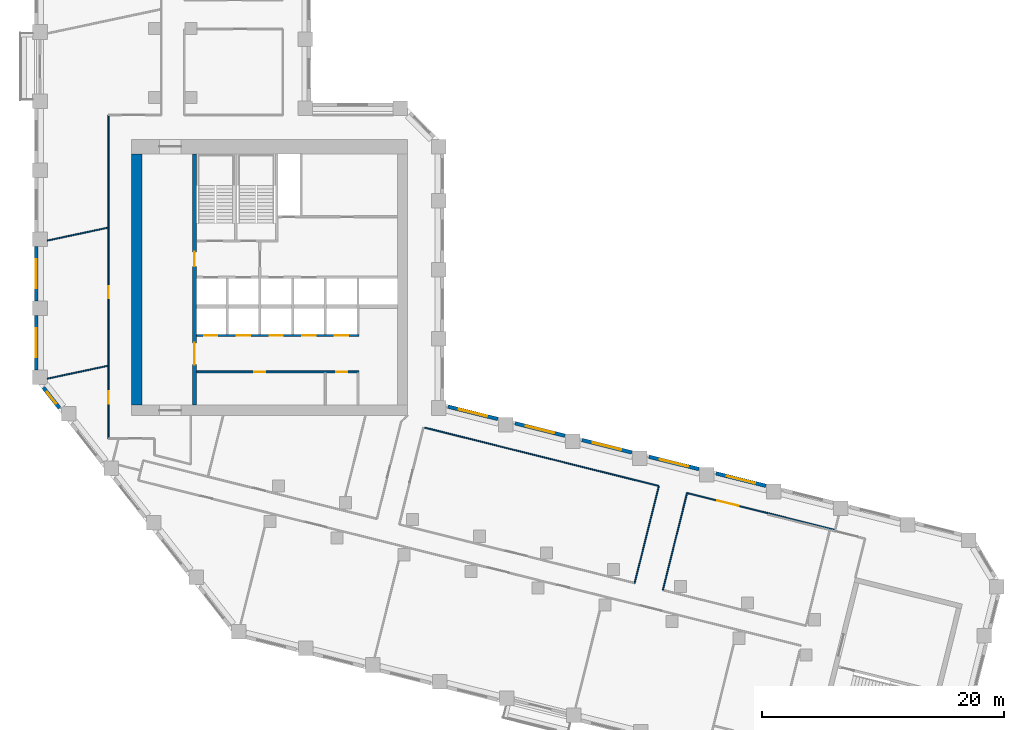
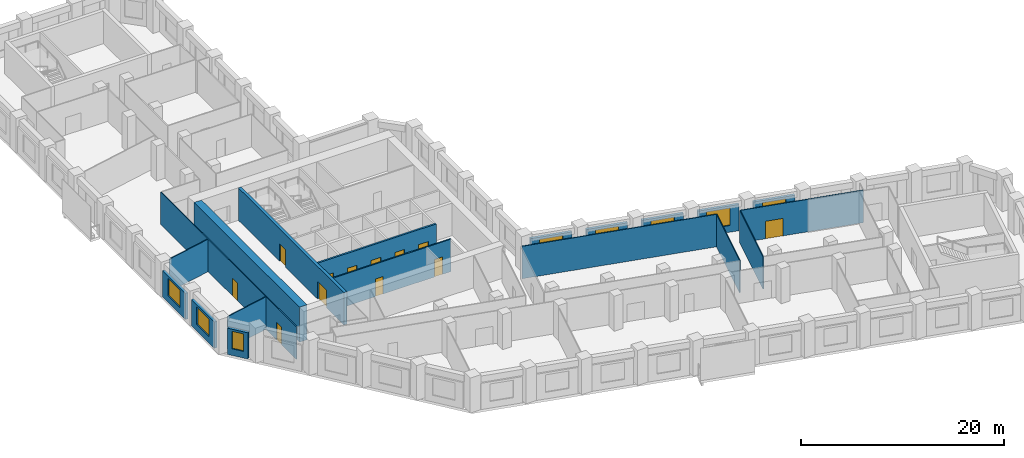
# One storey, part 4 of 10: 19 walls, 12 doors, 8 windows, 20 openings.
"""IFC4 building model written with IfcOpenShell, lengths in metres."""

from ifc_helpers import new_model, si_unit, direction, frame, frame_2d, origin, place, context, subcontext, project, spatial, rectangle, extrude, material, layer, layer_set, type_object, element, fill, save


model = new_model("IFC4")

# Units and contexts
model_context = context("Model", 3, precision=1e-05, world=origin(), true_north=direction((0.0, 1.0)))
body_context = subcontext(model_context, "Body", "Model", "MODEL_VIEW")
ifc_project = project(units=[si_unit("LENGTHUNIT", "METRE"), si_unit("AREAUNIT", "SQUARE_METRE"), si_unit("VOLUMEUNIT", "CUBIC_METRE"), si_unit("PLANEANGLEUNIT", "RADIAN"), si_unit("MASSUNIT", "GRAM", prefix="KILO")], contexts=[model_context])

# Site, building, storey
site_placement = place(None, origin())
site = spatial("IfcSite", under=ifc_project, at=site_placement, CompositionType="ELEMENT")
building_placement = place(site_placement, origin())
building = spatial("IfcBuilding", under=site, at=building_placement, Name="Meshkara Civic Tower", CompositionType="ELEMENT")
storey_placement = place(building_placement, frame((0.0, 0.0, 182.39990234375)))
storey = spatial("IfcBuildingStorey", under=building, at=storey_placement, Name="L41", CompositionType="ELEMENT", Elevation=182.39990234375)

# Wall, openings, doors
ifc_material_1 = material(Name="Blockwork", Category="masonry")
ifc_layer_1 = layer(ifc_material_1, 0.14990234375)
ifc_layer_set_1 = layer_set([ifc_layer_1], Name="Core partition 150")
wall_type_1 = type_object("IfcWallType", Name="Core partition 150", PredefinedType="PARTITIONING", material=ifc_layer_set_1)
wall_1_placement = place(storey_placement, frame((13.3701171875, 17.699951171875, 0.0), z_axis=(0.0, 0.0, 1.0), x_axis=(1.0, 0.0, 0.0)))
wall_1 = element("IfcWall", 1, at=wall_1_placement, inside=storey, type_object=wall_type_1, Name="L41-C005", PredefinedType="PARTITIONING", context=body_context, shape_type="SweptSolid", body=[
    extrude(rectangle(XDim=13.40478515625, YDim=0.14990234375, at=frame_2d((6.702392578125, 0.0))), origin(), (0.0, 0.0, 1.0), 3.900146484375),
])
opening_1_placement = place(wall_1_placement, frame((4.780029296875, 0.0, 0.0)))
opening_1 = element("IfcOpeningElement", 2, at=opening_1_placement, cuts=wall_1, Name="Opening L41-K010", PredefinedType="OPENING", context=body_context, shape_type="SweptSolid", body=[
    extrude(rectangle(XDim=0.89990234375, YDim=2.10009765625, at=frame_2d((0.449951171875, 1.050048828125))), frame((0.0, 0.0849609375, 0.0), z_axis=(0.0, -1.0, 0.0), x_axis=(1.0, 0.0, 0.0)), (0.0, 0.0, 1.0), 0.169921875),
])
opening_2_placement = place(wall_1_placement, frame((11.530029296875, 0.0, 0.0)))
opening_2 = element("IfcOpeningElement", 3, at=opening_2_placement, cuts=wall_1, Name="Opening L41-K011", PredefinedType="OPENING", context=body_context, shape_type="SweptSolid", body=[
    extrude(rectangle(XDim=0.89990234375, YDim=2.10009765625, at=frame_2d((0.449951171875, 1.050048828125))), frame((0.0, 0.0849609375, 0.0), z_axis=(0.0, -1.0, 0.0), x_axis=(1.0, 0.0, 0.0)), (0.0, 0.0, 1.0), 0.169921875),
])
ifc_material_2 = material(Name="Timber door leaf in steel frame", Category="steel")
door_type_1 = type_object("IfcDoorType", Name="Core room door 900", OperationType="SINGLE_SWING_LEFT", PredefinedType="DOOR", material=ifc_material_2)
door_1_placement = place(opening_1_placement, origin())
door_1 = element("IfcDoor", 4, at=door_1_placement, inside=storey, type_object=door_type_1, Name="L41-K010", OperationType="SINGLE_SWING_LEFT", OverallHeight=2.10009765625, OverallWidth=0.89990234375, PredefinedType="DOOR", context=body_context, shape_type="SweptSolid", body=[
    extrude(rectangle(XDim=0.89990234375, YDim=2.10009765625, at=frame_2d((0.449951171875, 1.050048828125))), frame((0.0, 0.02490234375, 0.0), z_axis=(0.0, -1.0, 0.0), x_axis=(1.0, 0.0, 0.0)), (0.0, 0.0, 1.0), 0.050048828125),
])
fill(opening_1, door_1)
door_2_placement = place(opening_2_placement, origin())
door_2 = element("IfcDoor", 5, at=door_2_placement, inside=storey, type_object=door_type_1, Name="L41-K011", OperationType="SINGLE_SWING_LEFT", OverallHeight=2.10009765625, OverallWidth=0.89990234375, PredefinedType="DOOR", context=body_context, shape_type="SweptSolid", body=[
    extrude(rectangle(XDim=0.89990234375, YDim=2.10009765625, at=frame_2d((0.449951171875, 1.050048828125))), frame((0.0, 0.02490234375, 0.0), z_axis=(0.0, -1.0, 0.0), x_axis=(1.0, 0.0, 0.0)), (0.0, 0.0, 1.0), 0.050048828125),
])
fill(opening_2, door_2)

# Wall
ifc_material_3 = material(Name="Concrete C70", Category="concrete")
ifc_layer_2 = layer(ifc_material_3, 0.85009765625)
ifc_layer_set_2 = layer_set([ifc_layer_2], Name="Core ring wall 850 C70")
wall_type_2 = type_object("IfcWallType", Name="Core ring wall 850 C70", PredefinedType="SHEAR", material=ifc_layer_set_2)
wall_2_placement = place(storey_placement, frame((8.425048828125, 14.949951171875, -0.2998046875), z_axis=(0.0, 0.0, 1.0), x_axis=(0.0, 1.0, 0.0)))
element("IfcWall", 6, at=wall_2_placement, inside=storey, type_object=wall_type_2, Name="L41-C003", PredefinedType="SHEAR", context=body_context, shape_type="SweptSolid", body=[
    extrude(rectangle(XDim=20.75, YDim=0.85009765625, at=frame_2d((10.375, 0.0))), origin(), (0.0, 0.0, 1.0), 4.199951171875),
])

# Wall, openings, doors
ifc_material_4 = material(Name="Concrete C70", Category="concrete")
ifc_layer_3 = layer(ifc_material_4, 0.340087890625)
ifc_layer_set_3 = layer_set([ifc_layer_3], Name="Core shear wall 340 C70")
wall_type_3 = type_object("IfcWallType", Name="Core shear wall 340 C70", PredefinedType="SHEAR", material=ifc_layer_set_3)
wall_3_placement = place(storey_placement, frame((13.199951171875, 14.949951171875, 0.0), z_axis=(0.0, 0.0, 1.0), x_axis=(0.0, 1.0, 0.0)))
wall_3 = element("IfcWall", 7, at=wall_3_placement, inside=storey, type_object=wall_type_3, Name="L41-C011", PredefinedType="SHEAR", context=body_context, shape_type="SweptSolid", body=[
    extrude(rectangle(XDim=20.75, YDim=0.340087890625, at=frame_2d((10.375, 0.0))), origin(), (0.0, 0.0, 1.0), 3.900146484375),
])
opening_3_placement = place(wall_3_placement, frame((3.35009765625, 0.0, 0.0)))
opening_3 = element("IfcOpeningElement", 8, at=opening_3_placement, cuts=wall_3, Name="Opening L41-K016", PredefinedType="OPENING", context=body_context, shape_type="SweptSolid", body=[
    extrude(rectangle(XDim=1.800048828125, YDim=2.10009765625, at=frame_2d((0.89990234375, 1.050048828125))), frame((0.0, 0.179931640625, 0.0), z_axis=(0.0, -1.0, 0.0), x_axis=(1.0, 0.0, 0.0)), (0.0, 0.0, 1.0), 0.360107421875),
])
opening_4_placement = place(wall_3_placement, frame((11.449951171875, 0.0, 0.0)))
opening_4 = element("IfcOpeningElement", 9, at=opening_4_placement, cuts=wall_3, Name="Opening L41-K017", PredefinedType="OPENING", context=body_context, shape_type="SweptSolid", body=[
    extrude(rectangle(XDim=1.199951171875, YDim=2.10009765625, at=frame_2d((0.60009765625, 1.050048828125))), frame((0.0, 0.179931640625, 0.0), z_axis=(0.0, -1.0, 0.0), x_axis=(1.0, 0.0, 0.0)), (0.0, 0.0, 1.0), 0.360107421875),
])
ifc_material_5 = material(Name="Fire-rated door leaf in steel frame", Category="steel")
door_type_2 = type_object("IfcDoorType", Name="Core double door 1800 EI 60", OperationType="DOUBLE_DOOR_SINGLE_SWING", PredefinedType="DOOR", material=ifc_material_5)
door_3_placement = place(opening_3_placement, origin())
door_3 = element("IfcDoor", 10, at=door_3_placement, inside=storey, type_object=door_type_2, Name="L41-K016", OperationType="DOUBLE_DOOR_SINGLE_SWING", OverallHeight=2.10009765625, OverallWidth=1.800048828125, PredefinedType="DOOR", context=body_context, shape_type="SweptSolid", body=[
    extrude(rectangle(XDim=1.800048828125, YDim=2.10009765625, at=frame_2d((0.89990234375, 1.050048828125))), frame((0.0, 0.02490234375, 0.0), z_axis=(0.0, -1.0, 0.0), x_axis=(1.0, 0.0, 0.0)), (0.0, 0.0, 1.0), 0.050048828125),
])
fill(opening_3, door_3)
ifc_material_6 = material(Name="Fire-rated door leaf in steel frame", Category="steel")
door_type_3 = type_object("IfcDoorType", Name="Fire-fighting lobby door 1200 EI 120", OperationType="SINGLE_SWING_LEFT", PredefinedType="DOOR", material=ifc_material_6)
door_4_placement = place(opening_4_placement, origin())
door_4 = element("IfcDoor", 11, at=door_4_placement, inside=storey, type_object=door_type_3, Name="L41-K017", OperationType="SINGLE_SWING_LEFT", OverallHeight=2.10009765625, OverallWidth=1.199951171875, PredefinedType="DOOR", context=body_context, shape_type="SweptSolid", body=[
    extrude(rectangle(XDim=1.199951171875, YDim=2.10009765625, at=frame_2d((0.60009765625, 1.050048828125))), frame((0.0, 0.02490234375, 0.0), z_axis=(0.0, -1.0, 0.0), x_axis=(1.0, 0.0, 0.0)), (0.0, 0.0, 1.0), 0.050048828125),
])
fill(opening_4, door_4)

ifc_material_7 = material(Name="Corridor wall 100")
ifc_layer_4 = layer(ifc_material_7, 0.10009765625)
ifc_layer_set_4 = layer_set([ifc_layer_4], Name="Corridor wall 100")
wall_type_4 = type_object("IfcWallType", Name="Corridor wall 100", PredefinedType="PARTITIONING", material=ifc_layer_set_4)
wall_4_placement = place(storey_placement, frame((6.10009765625, 12.199951171875, 0.0), z_axis=(0.0, 0.0, 1.0), x_axis=(0.0, 1.0, 0.0)))
wall_4 = element("IfcWall", 12, at=wall_4_placement, inside=storey, type_object=wall_type_4, Name="L41-W004", PredefinedType="PARTITIONING", context=body_context, shape_type="SweptSolid", body=[
    extrude(rectangle(XDim=26.699951171875, YDim=0.10009765625, at=frame_2d((13.35009765625, 0.0))), origin(), (0.0, 0.0, 1.0), 3.900146484375),
])
opening_5_placement = place(wall_4_placement, frame((2.8798828125, 0.0, 0.0)))
opening_5 = element("IfcOpeningElement", 13, at=opening_5_placement, cuts=wall_4, Name="Opening L41-D014", PredefinedType="OPENING", context=body_context, shape_type="SweptSolid", body=[
    extrude(rectangle(XDim=1.0, YDim=2.10009765625, at=frame_2d((0.5, 1.050048828125))), frame((0.0, 0.06005859375, 0.0), z_axis=(0.0, -1.0, 0.0), x_axis=(1.0, 0.0, 0.0)), (0.0, 0.0, 1.0), 0.1201171875),
])
opening_6_placement = place(wall_4_placement, frame((11.577880859375, 0.0, 0.0)))
opening_6 = element("IfcOpeningElement", 14, at=opening_6_placement, cuts=wall_4, Name="Opening L41-D016", PredefinedType="OPENING", context=body_context, shape_type="SweptSolid", body=[
    extrude(rectangle(XDim=1.0, YDim=2.10009765625, at=frame_2d((0.5, 1.050048828125))), frame((0.0, 0.06005859375, 0.0), z_axis=(0.0, -1.0, 0.0), x_axis=(1.0, 0.0, 0.0)), (0.0, 0.0, 1.0), 0.1201171875),
])
ifc_material_8 = material(Name="Door 1000 x 2100")
door_type_4 = type_object("IfcDoorType", Name="Door 1000 x 2100", OperationType="SINGLE_SWING_LEFT", PredefinedType="DOOR", material=ifc_material_8)
door_5_placement = place(opening_5_placement, origin())
door_5 = element("IfcDoor", 15, at=door_5_placement, inside=storey, type_object=door_type_4, Name="L41-D014", OperationType="SINGLE_SWING_RIGHT", OverallHeight=2.10009765625, OverallWidth=1.0, PredefinedType="DOOR", context=body_context, shape_type="SweptSolid", body=[
    extrude(rectangle(XDim=1.0, YDim=2.10009765625, at=frame_2d((0.5, 1.050048828125))), frame((0.0, 0.02490234375, 0.0), z_axis=(0.0, -1.0, 0.0), x_axis=(1.0, 0.0, 0.0)), (0.0, 0.0, 1.0), 0.050048828125),
])
fill(opening_5, door_5)
door_6_placement = place(opening_6_placement, origin())
door_6 = element("IfcDoor", 16, at=door_6_placement, inside=storey, type_object=door_type_4, Name="L41-D016", OperationType="SINGLE_SWING_RIGHT", OverallHeight=2.10009765625, OverallWidth=1.0, PredefinedType="DOOR", context=body_context, shape_type="SweptSolid", body=[
    extrude(rectangle(XDim=1.0, YDim=2.10009765625, at=frame_2d((0.5, 1.050048828125))), frame((0.0, 0.02490234375, 0.0), z_axis=(0.0, -1.0, 0.0), x_axis=(1.0, 0.0, 0.0)), (0.0, 0.0, 1.0), 0.050048828125),
])
fill(opening_6, door_6)

# Walls
wall_5_placement = place(storey_placement, frame((32.196044921875, 13.10009765625, 0.0), z_axis=(0.0, 0.0, 1.0), x_axis=(0.970300822777, -0.241901453734, 0.0)))
element("IfcWall", 17, at=wall_5_placement, inside=storey, type_object=wall_type_4, Name="L41-W029", PredefinedType="PARTITIONING", context=body_context, shape_type="SweptSolid", body=[
    extrude(rectangle(XDim=19.9296875, YDim=0.10009765625, at=frame_2d((9.96484375, 0.0))), origin(), (0.0, 0.0, 1.0), 3.900146484375),
])
wall_6_placement = place(storey_placement, frame((51.533935546875, 8.279052734375, 0.0), z_axis=(0.0, 0.0, 1.0), x_axis=(-0.241999851509, -0.970276286359, 0.0)))
element("IfcWall", 18, at=wall_6_placement, inside=storey, type_object=wall_type_4, Name="L41-W031", PredefinedType="PARTITIONING", context=body_context, shape_type="SweptSolid", body=[
    extrude(rectangle(XDim=8.25634765625, YDim=0.10009765625, at=frame_2d((4.128173828125, 0.0))), origin(), (0.0, 0.0, 1.0), 3.900146484375),
])
wall_7_placement = place(storey_placement, frame((51.864990234375, -0.31298828125, 0.0), z_axis=(0.0, 0.0, 1.0), x_axis=(0.241888494143, 0.970304053584, 0.0)))
element("IfcWall", 19, at=wall_7_placement, inside=storey, type_object=wall_type_4, Name="L41-W032", PredefinedType="PARTITIONING", context=body_context, shape_type="SweptSolid", body=[
    extrude(rectangle(XDim=8.256103515625, YDim=0.10009765625, at=frame_2d((4.1279296875, 0.0))), origin(), (0.0, 0.0, 1.0), 3.900146484375),
])

# Wall, opening, door
wall_8_placement = place(storey_placement, frame((53.862060546875, 7.697998046875, 0.0), z_axis=(0.0, 0.0, 1.0), x_axis=(0.970293911745, -0.24192917317, 0.0)))
wall_8 = element("IfcWall", 20, at=wall_8_placement, inside=storey, type_object=wall_type_4, Name="L41-W033", PredefinedType="PARTITIONING", context=body_context, shape_type="SweptSolid", body=[
    extrude(rectangle(XDim=12.59912109375, YDim=0.10009765625, at=frame_2d((6.299560546875, 0.0))), origin(), (0.0, 0.0, 1.0), 3.900146484375),
])
opening_7_placement = place(wall_8_placement, frame((2.580078125, 0.0, 0.0)))
opening_7 = element("IfcOpeningElement", 21, at=opening_7_placement, cuts=wall_8, Name="Opening L41-D013", PredefinedType="OPENING", context=body_context, shape_type="SweptSolid", body=[
    extrude(rectangle(XDim=1.800048828125, YDim=2.10009765625, at=frame_2d((0.89990234375, 1.050048828125))), frame((0.0, 0.06005859375, 0.0), z_axis=(0.0, -1.0, 0.0), x_axis=(1.0, 0.0, 0.0)), (0.0, 0.0, 1.0), 0.1201171875),
])
ifc_material_9 = material(Name="Door pair 1800 x 2100")
door_type_5 = type_object("IfcDoorType", Name="Door pair 1800 x 2100", OperationType="SINGLE_SWING_LEFT", PredefinedType="DOOR", material=ifc_material_9)
door_7_placement = place(opening_7_placement, origin())
door_7 = element("IfcDoor", 22, at=door_7_placement, inside=storey, type_object=door_type_5, Name="L41-D013", OperationType="DOUBLE_DOOR_SINGLE_SWING", OverallHeight=2.10009765625, OverallWidth=1.800048828125, PredefinedType="DOOR", context=body_context, shape_type="SweptSolid", body=[
    extrude(rectangle(XDim=1.800048828125, YDim=2.10009765625, at=frame_2d((0.89990234375, 1.050048828125))), frame((0.0, 0.02490234375, 0.0), z_axis=(0.0, -1.0, 0.0), x_axis=(1.0, 0.0, 0.0)), (0.0, 0.0, 1.0), 0.050048828125),
])
fill(opening_7, door_7)

# Wall, opening, window
ifc_material_10 = material(Name="Insulated infill panel with bronze anodised aluminium cladding", Category="aluminium")
ifc_layer_5 = layer(ifc_material_10, 0.300048828125)
ifc_layer_set_5 = layer_set([ifc_layer_5], Name="EXTERNAL INFILL WALL 300")
wall_type_5 = type_object("IfcWallType", Name="EXTERNAL INFILL WALL 300", PredefinedType="SOLIDWALL", material=ifc_layer_set_5)
wall_9_placement = place(storey_placement, frame((60.3701171875, 8.291015625, 0.0), z_axis=(0.0, 0.0, 1.0), x_axis=(-0.970291164166, 0.241940192487, 0.0)))
wall_9 = element("IfcWall", 23, at=wall_9_placement, inside=storey, type_object=wall_type_5, Name="External wall", PredefinedType="SOLIDWALL", context=body_context, shape_type="SweptSolid", body=[
    extrude(rectangle(XDim=4.245361328125, YDim=0.300048828125, at=frame_2d((2.12255859375, 0.0))), origin(), (0.0, 0.0, 1.0), 3.150146484375),
])
opening_8_placement = place(wall_9_placement, frame((0.922119140625, 0.0, 0.800048828125)))
opening_8 = element("IfcOpeningElement", 24, at=opening_8_placement, cuts=wall_9, Name="Opening W7", PredefinedType="OPENING", context=body_context, shape_type="SweptSolid", body=[
    extrude(rectangle(XDim=2.39990234375, YDim=2.10009765625, at=frame_2d((1.199951171875, 1.050048828125))), frame((0.0, 0.159912109375, 0.0), z_axis=(0.0, -1.0, 0.0), x_axis=(1.0, 0.0, 0.0)), (0.0, 0.0, 1.0), 0.320068359375),
])
ifc_material_11 = material(Name="Tinted double glazing", Category="glass")
window_type_1 = type_object("IfcWindowType", Name="WINDOW 2400x2100", PartitioningType="DOUBLE_PANEL_VERTICAL", PredefinedType="WINDOW", material=ifc_material_11)
window_1_placement = place(opening_8_placement, origin())
window_1 = element("IfcWindow", 25, at=window_1_placement, inside=storey, type_object=window_type_1, Name="Window", OverallHeight=2.10009765625, OverallWidth=2.39990234375, PartitioningType="DOUBLE_PANEL_VERTICAL", PredefinedType="WINDOW", context=body_context, shape_type="SweptSolid", body=[
    extrude(rectangle(XDim=2.39990234375, YDim=2.10009765625, at=frame_2d((1.199951171875, 1.050048828125))), frame((0.0, 0.030029296875, 0.0), z_axis=(0.0, -1.0, 0.0), x_axis=(1.0, 0.0, 0.0)), (0.0, 0.0, 1.0), 0.06005859375),
])
fill(opening_8, window_1)

wall_10_placement = place(storey_placement, frame((54.840087890625, 9.669921875, 0.0), z_axis=(0.0, 0.0, 1.0), x_axis=(-0.97030462482, 0.241886202691, 0.0)))
wall_10 = element("IfcWall", 26, at=wall_10_placement, inside=storey, type_object=wall_type_5, Name="External wall", PredefinedType="SOLIDWALL", context=body_context, shape_type="SweptSolid", body=[
    extrude(rectangle(XDim=4.24609375, YDim=0.300048828125, at=frame_2d((2.123046875, 0.0))), origin(), (0.0, 0.0, 1.0), 3.150146484375),
])
opening_9_placement = place(wall_10_placement, frame((0.923095703125, 0.0, 0.800048828125)))
opening_9 = element("IfcOpeningElement", 27, at=opening_9_placement, cuts=wall_10, Name="Opening W7", PredefinedType="OPENING", context=body_context, shape_type="SweptSolid", body=[
    extrude(rectangle(XDim=2.39990234375, YDim=2.10009765625, at=frame_2d((1.199951171875, 1.050048828125))), frame((0.0, 0.159912109375, 0.0), z_axis=(0.0, -1.0, 0.0), x_axis=(1.0, 0.0, 0.0)), (0.0, 0.0, 1.0), 0.320068359375),
])
window_2_placement = place(opening_9_placement, origin())
window_2 = element("IfcWindow", 28, at=window_2_placement, inside=storey, type_object=window_type_1, Name="Window", OverallHeight=2.10009765625, OverallWidth=2.39990234375, PartitioningType="DOUBLE_PANEL_VERTICAL", PredefinedType="WINDOW", context=body_context, shape_type="SweptSolid", body=[
    extrude(rectangle(XDim=2.39990234375, YDim=2.10009765625, at=frame_2d((1.199951171875, 1.050048828125))), frame((0.0, 0.030029296875, 0.0), z_axis=(0.0, -1.0, 0.0), x_axis=(1.0, 0.0, 0.0)), (0.0, 0.0, 1.0), 0.06005859375),
])
fill(opening_9, window_2)

wall_11_placement = place(storey_placement, frame((49.30908203125, 11.049072265625, 0.0), z_axis=(0.0, 0.0, 1.0), x_axis=(-0.970264129329, 0.242048588793, 0.0)))
wall_11 = element("IfcWall", 29, at=wall_11_placement, inside=storey, type_object=wall_type_5, Name="External wall", PredefinedType="SOLIDWALL", context=body_context, shape_type="SweptSolid", body=[
    extrude(rectangle(XDim=4.246337890625, YDim=0.300048828125, at=frame_2d((2.123046875, 0.0))), origin(), (0.0, 0.0, 1.0), 3.150146484375),
])
opening_10_placement = place(wall_11_placement, frame((0.923095703125, 0.0, 0.800048828125)))
opening_10 = element("IfcOpeningElement", 30, at=opening_10_placement, cuts=wall_11, Name="Opening W7", PredefinedType="OPENING", context=body_context, shape_type="SweptSolid", body=[
    extrude(rectangle(XDim=2.39990234375, YDim=2.10009765625, at=frame_2d((1.199951171875, 1.050048828125))), frame((0.0, 0.159912109375, 0.0), z_axis=(0.0, -1.0, 0.0), x_axis=(1.0, 0.0, 0.0)), (0.0, 0.0, 1.0), 0.320068359375),
])
window_3_placement = place(opening_10_placement, origin())
window_3 = element("IfcWindow", 31, at=window_3_placement, inside=storey, type_object=window_type_1, Name="Window", OverallHeight=2.10009765625, OverallWidth=2.39990234375, PartitioningType="DOUBLE_PANEL_VERTICAL", PredefinedType="WINDOW", context=body_context, shape_type="SweptSolid", body=[
    extrude(rectangle(XDim=2.39990234375, YDim=2.10009765625, at=frame_2d((1.199951171875, 1.050048828125))), frame((0.0, 0.030029296875, 0.0), z_axis=(0.0, -1.0, 0.0), x_axis=(1.0, 0.0, 0.0)), (0.0, 0.0, 1.0), 0.06005859375),
])
fill(opening_10, window_3)

wall_12_placement = place(storey_placement, frame((43.778076171875, 12.427978515625, 0.0), z_axis=(0.0, 0.0, 1.0), x_axis=(-0.970291164166, 0.241940192487, 0.0)))
wall_12 = element("IfcWall", 32, at=wall_12_placement, inside=storey, type_object=wall_type_5, Name="External wall", PredefinedType="SOLIDWALL", context=body_context, shape_type="SweptSolid", body=[
    extrude(rectangle(XDim=4.245361328125, YDim=0.300048828125, at=frame_2d((2.12255859375, 0.0))), origin(), (0.0, 0.0, 1.0), 3.150146484375),
])
opening_11_placement = place(wall_12_placement, frame((0.922119140625, 0.0, 0.800048828125)))
opening_11 = element("IfcOpeningElement", 33, at=opening_11_placement, cuts=wall_12, Name="Opening W7", PredefinedType="OPENING", context=body_context, shape_type="SweptSolid", body=[
    extrude(rectangle(XDim=2.39990234375, YDim=2.10009765625, at=frame_2d((1.199951171875, 1.050048828125))), frame((0.0, 0.159912109375, 0.0), z_axis=(0.0, -1.0, 0.0), x_axis=(1.0, 0.0, 0.0)), (0.0, 0.0, 1.0), 0.320068359375),
])
window_4_placement = place(opening_11_placement, origin())
window_4 = element("IfcWindow", 34, at=window_4_placement, inside=storey, type_object=window_type_1, Name="Window", OverallHeight=2.10009765625, OverallWidth=2.39990234375, PartitioningType="DOUBLE_PANEL_VERTICAL", PredefinedType="WINDOW", context=body_context, shape_type="SweptSolid", body=[
    extrude(rectangle(XDim=2.39990234375, YDim=2.10009765625, at=frame_2d((1.199951171875, 1.050048828125))), frame((0.0, 0.030029296875, 0.0), z_axis=(0.0, -1.0, 0.0), x_axis=(1.0, 0.0, 0.0)), (0.0, 0.0, 1.0), 0.06005859375),
])
fill(opening_11, window_4)

wall_13_placement = place(storey_placement, frame((38.248046875, 13.806884765625, 0.0), z_axis=(0.0, 0.0, 1.0), x_axis=(-0.970250625545, 0.242102712975, 0.0)))
wall_13 = element("IfcWall", 35, at=wall_13_placement, inside=storey, type_object=wall_type_5, Name="External wall", PredefinedType="SOLIDWALL", context=body_context, shape_type="SweptSolid", body=[
    extrude(rectangle(XDim=4.246337890625, YDim=0.300048828125, at=frame_2d((2.123046875, 0.0))), origin(), (0.0, 0.0, 1.0), 3.150146484375),
])
opening_12_placement = place(wall_13_placement, frame((0.923095703125, 0.0, 0.800048828125)))
opening_12 = element("IfcOpeningElement", 36, at=opening_12_placement, cuts=wall_13, Name="Opening W7", PredefinedType="OPENING", context=body_context, shape_type="SweptSolid", body=[
    extrude(rectangle(XDim=2.39990234375, YDim=2.10009765625, at=frame_2d((1.199951171875, 1.050048828125))), frame((0.0, 0.159912109375, 0.0), z_axis=(0.0, -1.0, 0.0), x_axis=(1.0, 0.0, 0.0)), (0.0, 0.0, 1.0), 0.320068359375),
])
window_5_placement = place(opening_12_placement, origin())
window_5 = element("IfcWindow", 37, at=window_5_placement, inside=storey, type_object=window_type_1, Name="Window", OverallHeight=2.10009765625, OverallWidth=2.39990234375, PartitioningType="DOUBLE_PANEL_VERTICAL", PredefinedType="WINDOW", context=body_context, shape_type="SweptSolid", body=[
    extrude(rectangle(XDim=2.39990234375, YDim=2.10009765625, at=frame_2d((1.199951171875, 1.050048828125))), frame((0.0, 0.030029296875, 0.0), z_axis=(0.0, -1.0, 0.0), x_axis=(1.0, 0.0, 0.0)), (0.0, 0.0, 1.0), 0.06005859375),
])
fill(opening_12, window_5)

wall_14_placement = place(storey_placement, frame((0.14990234375, 28.054931640625, 0.0), z_axis=(0.0, 0.0, 1.0), x_axis=(0.0, -1.0, 0.0)))
wall_14 = element("IfcWall", 38, at=wall_14_placement, inside=storey, type_object=wall_type_5, Name="External wall", PredefinedType="SOLIDWALL", context=body_context, shape_type="SweptSolid", body=[
    extrude(rectangle(XDim=4.5, YDim=0.300048828125, at=frame_2d((2.25, 0.0))), origin(), (0.0, 0.0, 1.0), 3.150146484375),
])
opening_13_placement = place(wall_14_placement, frame((1.050048828125, 0.0, 0.800048828125)))
opening_13 = element("IfcOpeningElement", 39, at=opening_13_placement, cuts=wall_14, Name="Opening W7", PredefinedType="OPENING", context=body_context, shape_type="SweptSolid", body=[
    extrude(rectangle(XDim=2.39990234375, YDim=2.10009765625, at=frame_2d((1.199951171875, 1.050048828125))), frame((0.0, 0.159912109375, 0.0), z_axis=(0.0, -1.0, 0.0), x_axis=(1.0, 0.0, 0.0)), (0.0, 0.0, 1.0), 0.320068359375),
])
window_6_placement = place(opening_13_placement, origin())
window_6 = element("IfcWindow", 40, at=window_6_placement, inside=storey, type_object=window_type_1, Name="Window", OverallHeight=2.10009765625, OverallWidth=2.39990234375, PartitioningType="DOUBLE_PANEL_VERTICAL", PredefinedType="WINDOW", context=body_context, shape_type="SweptSolid", body=[
    extrude(rectangle(XDim=2.39990234375, YDim=2.10009765625, at=frame_2d((1.199951171875, 1.050048828125))), frame((0.0, 0.030029296875, 0.0), z_axis=(0.0, -1.0, 0.0), x_axis=(1.0, 0.0, 0.0)), (0.0, 0.0, 1.0), 0.06005859375),
])
fill(opening_13, window_6)

wall_15_placement = place(storey_placement, frame((0.14990234375, 22.35498046875, 0.0), z_axis=(0.0, 0.0, 1.0), x_axis=(0.0, -1.0, 0.0)))
wall_15 = element("IfcWall", 41, at=wall_15_placement, inside=storey, type_object=wall_type_5, Name="External wall", PredefinedType="SOLIDWALL", context=body_context, shape_type="SweptSolid", body=[
    extrude(rectangle(XDim=4.5, YDim=0.300048828125, at=frame_2d((2.25, 0.0))), origin(), (0.0, 0.0, 1.0), 3.150146484375),
])
opening_14_placement = place(wall_15_placement, frame((1.050048828125, 0.0, 0.800048828125)))
opening_14 = element("IfcOpeningElement", 42, at=opening_14_placement, cuts=wall_15, Name="Opening W7", PredefinedType="OPENING", context=body_context, shape_type="SweptSolid", body=[
    extrude(rectangle(XDim=2.39990234375, YDim=2.10009765625, at=frame_2d((1.199951171875, 1.050048828125))), frame((0.0, 0.159912109375, 0.0), z_axis=(0.0, -1.0, 0.0), x_axis=(1.0, 0.0, 0.0)), (0.0, 0.0, 1.0), 0.320068359375),
])
window_7_placement = place(opening_14_placement, origin())
window_7 = element("IfcWindow", 43, at=window_7_placement, inside=storey, type_object=window_type_1, Name="Window", OverallHeight=2.10009765625, OverallWidth=2.39990234375, PartitioningType="DOUBLE_PANEL_VERTICAL", PredefinedType="WINDOW", context=body_context, shape_type="SweptSolid", body=[
    extrude(rectangle(XDim=2.39990234375, YDim=2.10009765625, at=frame_2d((1.199951171875, 1.050048828125))), frame((0.0, 0.030029296875, 0.0), z_axis=(0.0, -1.0, 0.0), x_axis=(1.0, 0.0, 0.0)), (0.0, 0.0, 1.0), 0.06005859375),
])
fill(opening_14, window_7)

wall_16_placement = place(storey_placement, frame((0.73193359375, 16.406982421875, 0.0), z_axis=(0.0, 0.0, 1.0), x_axis=(0.615593496459, -0.788063859797, 0.0)))
wall_16 = element("IfcWall", 44, at=wall_16_placement, inside=storey, type_object=wall_type_5, Name="External wall", PredefinedType="SOLIDWALL", context=body_context, shape_type="SweptSolid", body=[
    extrude(rectangle(XDim=2.156005859375, YDim=0.300048828125, at=frame_2d((1.078125, 0.0))), origin(), (0.0, 0.0, 1.0), 3.150146484375),
])
opening_15_placement = place(wall_16_placement, frame((0.47802734375, 0.0, 0.800048828125)))
opening_15 = element("IfcOpeningElement", 45, at=opening_15_placement, cuts=wall_16, Name="Opening W3", PredefinedType="OPENING", context=body_context, shape_type="SweptSolid", body=[
    extrude(rectangle(XDim=1.199951171875, YDim=2.10009765625, at=frame_2d((0.60009765625, 1.050048828125))), frame((0.0, 0.159912109375, 0.0), z_axis=(0.0, -1.0, 0.0), x_axis=(1.0, 0.0, 0.0)), (0.0, 0.0, 1.0), 0.320068359375),
])
ifc_material_12 = material(Name="Tinted double glazing", Category="glass")
window_type_2 = type_object("IfcWindowType", Name="WINDOW 1200x2100", PartitioningType="SINGLE_PANEL", PredefinedType="WINDOW", material=ifc_material_12)
window_8_placement = place(opening_15_placement, origin())
window_8 = element("IfcWindow", 46, at=window_8_placement, inside=storey, type_object=window_type_2, Name="Window", OverallHeight=2.10009765625, OverallWidth=1.199951171875, PartitioningType="SINGLE_PANEL", PredefinedType="WINDOW", context=body_context, shape_type="SweptSolid", body=[
    extrude(rectangle(XDim=1.199951171875, YDim=2.10009765625, at=frame_2d((0.60009765625, 1.050048828125))), frame((0.0, 0.030029296875, 0.0), z_axis=(0.0, -1.0, 0.0), x_axis=(1.0, 0.0, 0.0)), (0.0, 0.0, 1.0), 0.06005859375),
])
fill(opening_15, window_8)

# Walls
ifc_material_13 = material(Name="Partition 100")
ifc_layer_6 = layer(ifc_material_13, 0.10009765625)
ifc_layer_set_6 = layer_set([ifc_layer_6], Name="Partition 100")
wall_type_6 = type_object("IfcWallType", Name="Partition 100", PredefinedType="PARTITIONING", material=ifc_layer_set_6)
wall_17_placement = place(storey_placement, frame((6.0400390625, 18.197998046875, 0.0), z_axis=(0.0, 0.0, 1.0), x_axis=(-0.978171377098, -0.20779980035, 0.0)))
element("IfcWall", 47, at=wall_17_placement, inside=storey, type_object=wall_type_6, Name="L41-W045", PredefinedType="PARTITIONING", context=body_context, shape_type="SweptSolid", body=[
    extrude(rectangle(XDim=5.101318359375, YDim=0.10009765625, at=frame_2d((2.55078125, 0.0))), origin(), (0.0, 0.0, 1.0), 3.900146484375),
])
wall_18_placement = place(storey_placement, frame((6.0400390625, 29.597900390625, 0.0), z_axis=(0.0, 0.0, 1.0), x_axis=(-0.978142184873, -0.207937168808, 0.0)))
element("IfcWall", 48, at=wall_18_placement, inside=storey, type_object=wall_type_6, Name="L41-W046", PredefinedType="PARTITIONING", context=body_context, shape_type="SweptSolid", body=[
    extrude(rectangle(XDim=5.1015625, YDim=0.10009765625, at=frame_2d((2.55078125, 0.0))), origin(), (0.0, 0.0, 1.0), 3.900146484375),
])

# Wall, openings, doors
ifc_material_14 = material(Name="Concrete C40/50", Category="concrete")
ifc_layer_7 = layer(ifc_material_14, 0.199951171875)
ifc_layer_set_7 = layer_set([ifc_layer_7], Name="Shaft wall 200 C40/50")
wall_type_7 = type_object("IfcWallType", Name="Shaft wall 200 C40/50", PredefinedType="SOLIDWALL", material=ifc_layer_set_7)
wall_19_placement = place(storey_placement, frame((13.3701171875, 20.699951171875, 0.0), z_axis=(0.0, 0.0, 1.0), x_axis=(1.0, 0.0, 0.0)))
wall_19 = element("IfcWall", 49, at=wall_19_placement, inside=storey, type_object=wall_type_7, Name="L41-C006", PredefinedType="SOLIDWALL", context=body_context, shape_type="SweptSolid", body=[
    extrude(rectangle(XDim=13.429931640625, YDim=0.199951171875, at=frame_2d((6.71484375, 0.0))), origin(), (0.0, 0.0, 1.0), 3.900146484375),
])
opening_16_placement = place(wall_19_placement, frame((0.6298828125, 0.0, 0.0)))
opening_16 = element("IfcOpeningElement", 50, at=opening_16_placement, cuts=wall_19, Name="Opening L41-K001", PredefinedType="OPENING", context=body_context, shape_type="SweptSolid", body=[
    extrude(rectangle(XDim=1.10009765625, YDim=2.10009765625, at=frame_2d((0.550048828125, 1.050048828125))), frame((0.0, 0.10986328125, 0.0), z_axis=(0.0, -1.0, 0.0), x_axis=(1.0, 0.0, 0.0)), (0.0, 0.0, 1.0), 0.219970703125),
])
opening_17_placement = place(wall_19_placement, frame((3.330078125, 0.0, 0.0)))
opening_17 = element("IfcOpeningElement", 51, at=opening_17_placement, cuts=wall_19, Name="Opening L41-K002", PredefinedType="OPENING", context=body_context, shape_type="SweptSolid", body=[
    extrude(rectangle(XDim=1.10009765625, YDim=2.10009765625, at=frame_2d((0.550048828125, 1.050048828125))), frame((0.0, 0.10986328125, 0.0), z_axis=(0.0, -1.0, 0.0), x_axis=(1.0, 0.0, 0.0)), (0.0, 0.0, 1.0), 0.219970703125),
])
opening_18_placement = place(wall_19_placement, frame((6.030029296875, 0.0, 0.0)))
opening_18 = element("IfcOpeningElement", 52, at=opening_18_placement, cuts=wall_19, Name="Opening L41-K003", PredefinedType="OPENING", context=body_context, shape_type="SweptSolid", body=[
    extrude(rectangle(XDim=1.10009765625, YDim=2.10009765625, at=frame_2d((0.550048828125, 1.050048828125))), frame((0.0, 0.10986328125, 0.0), z_axis=(0.0, -1.0, 0.0), x_axis=(1.0, 0.0, 0.0)), (0.0, 0.0, 1.0), 0.219970703125),
])
opening_19_placement = place(wall_19_placement, frame((8.72998046875, 0.0, 0.0)))
opening_19 = element("IfcOpeningElement", 53, at=opening_19_placement, cuts=wall_19, Name="Opening L41-K004", PredefinedType="OPENING", context=body_context, shape_type="SweptSolid", body=[
    extrude(rectangle(XDim=1.10009765625, YDim=2.10009765625, at=frame_2d((0.550048828125, 1.050048828125))), frame((0.0, 0.10986328125, 0.0), z_axis=(0.0, -1.0, 0.0), x_axis=(1.0, 0.0, 0.0)), (0.0, 0.0, 1.0), 0.219970703125),
])
opening_20_placement = place(wall_19_placement, frame((11.429931640625, 0.0, 0.0)))
opening_20 = element("IfcOpeningElement", 54, at=opening_20_placement, cuts=wall_19, Name="Opening L41-K005", PredefinedType="OPENING", context=body_context, shape_type="SweptSolid", body=[
    extrude(rectangle(XDim=1.10009765625, YDim=2.10009765625, at=frame_2d((0.550048828125, 1.050048828125))), frame((0.0, 0.10986328125, 0.0), z_axis=(0.0, -1.0, 0.0), x_axis=(1.0, 0.0, 0.0)), (0.0, 0.0, 1.0), 0.219970703125),
])
ifc_material_15 = material(Name="Stainless steel landing door", Category="steel")
door_type_6 = type_object("IfcDoorType", Name="Lift landing door 1100", OperationType="SLIDING_TO_LEFT", PredefinedType="DOOR", material=ifc_material_15)
door_8_placement = place(opening_16_placement, origin())
door_8 = element("IfcDoor", 55, at=door_8_placement, inside=storey, type_object=door_type_6, Name="L41-K001", OperationType="SLIDING_TO_LEFT", OverallHeight=2.10009765625, OverallWidth=1.10009765625, PredefinedType="DOOR", context=body_context, shape_type="SweptSolid", body=[
    extrude(rectangle(XDim=1.10009765625, YDim=2.10009765625, at=frame_2d((0.550048828125, 1.050048828125))), frame((0.0, 0.02490234375, 0.0), z_axis=(0.0, -1.0, 0.0), x_axis=(1.0, 0.0, 0.0)), (0.0, 0.0, 1.0), 0.050048828125),
])
fill(opening_16, door_8)
door_9_placement = place(opening_17_placement, origin())
door_9 = element("IfcDoor", 56, at=door_9_placement, inside=storey, type_object=door_type_6, Name="L41-K002", OperationType="SLIDING_TO_LEFT", OverallHeight=2.10009765625, OverallWidth=1.10009765625, PredefinedType="DOOR", context=body_context, shape_type="SweptSolid", body=[
    extrude(rectangle(XDim=1.10009765625, YDim=2.10009765625, at=frame_2d((0.550048828125, 1.050048828125))), frame((0.0, 0.02490234375, 0.0), z_axis=(0.0, -1.0, 0.0), x_axis=(1.0, 0.0, 0.0)), (0.0, 0.0, 1.0), 0.050048828125),
])
fill(opening_17, door_9)
door_10_placement = place(opening_18_placement, origin())
door_10 = element("IfcDoor", 57, at=door_10_placement, inside=storey, type_object=door_type_6, Name="L41-K003", OperationType="SLIDING_TO_LEFT", OverallHeight=2.10009765625, OverallWidth=1.10009765625, PredefinedType="DOOR", context=body_context, shape_type="SweptSolid", body=[
    extrude(rectangle(XDim=1.10009765625, YDim=2.10009765625, at=frame_2d((0.550048828125, 1.050048828125))), frame((0.0, 0.02490234375, 0.0), z_axis=(0.0, -1.0, 0.0), x_axis=(1.0, 0.0, 0.0)), (0.0, 0.0, 1.0), 0.050048828125),
])
fill(opening_18, door_10)
door_11_placement = place(opening_19_placement, origin())
door_11 = element("IfcDoor", 58, at=door_11_placement, inside=storey, type_object=door_type_6, Name="L41-K004", OperationType="SLIDING_TO_LEFT", OverallHeight=2.10009765625, OverallWidth=1.10009765625, PredefinedType="DOOR", context=body_context, shape_type="SweptSolid", body=[
    extrude(rectangle(XDim=1.10009765625, YDim=2.10009765625, at=frame_2d((0.550048828125, 1.050048828125))), frame((0.0, 0.02490234375, 0.0), z_axis=(0.0, -1.0, 0.0), x_axis=(1.0, 0.0, 0.0)), (0.0, 0.0, 1.0), 0.050048828125),
])
fill(opening_19, door_11)
door_12_placement = place(opening_20_placement, origin())
door_12 = element("IfcDoor", 59, at=door_12_placement, inside=storey, type_object=door_type_6, Name="L41-K005", OperationType="SLIDING_TO_LEFT", OverallHeight=2.10009765625, OverallWidth=1.10009765625, PredefinedType="DOOR", context=body_context, shape_type="SweptSolid", body=[
    extrude(rectangle(XDim=1.10009765625, YDim=2.10009765625, at=frame_2d((0.550048828125, 1.050048828125))), frame((0.0, 0.02490234375, 0.0), z_axis=(0.0, -1.0, 0.0), x_axis=(1.0, 0.0, 0.0)), (0.0, 0.0, 1.0), 0.050048828125),
])
fill(opening_20, door_12)

save(model, "model.ifc")
